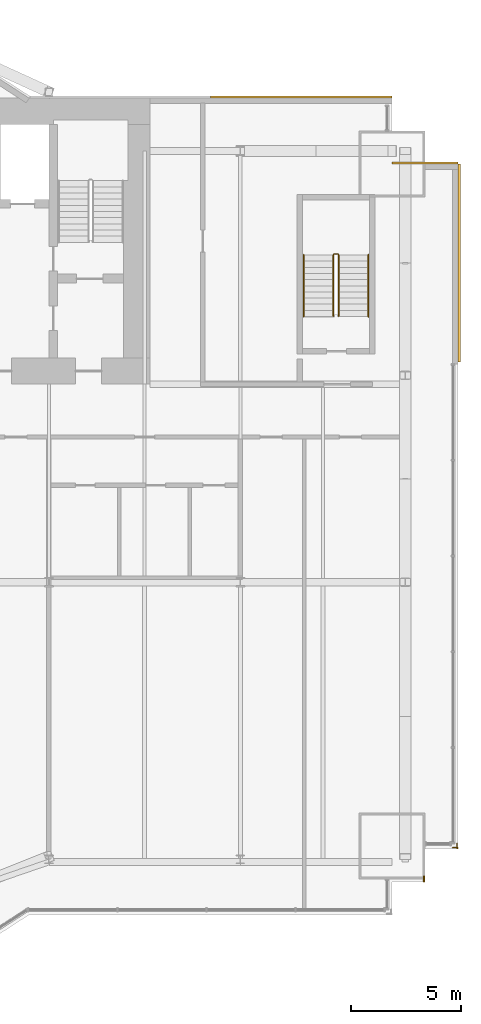
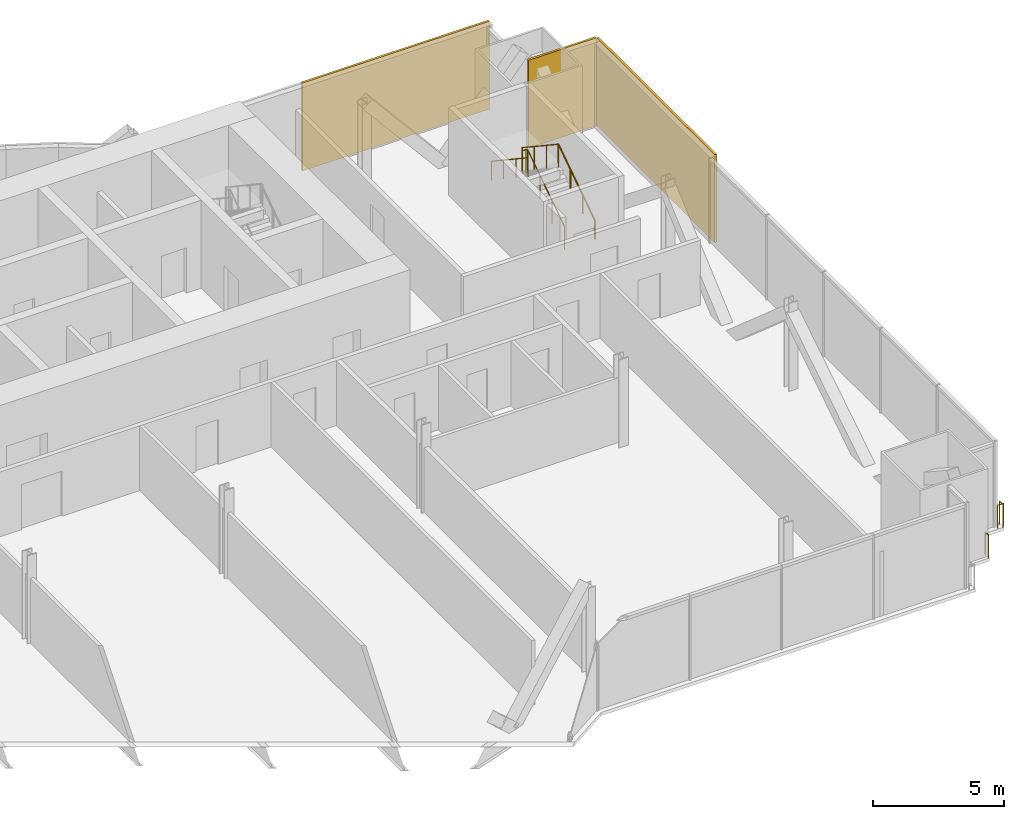
# One storey, part 21 of 21: 5 railings, 3 coverings.
"""IFC4 building model written with IfcOpenShell, lengths in metres."""

from ifc_helpers import new_model, si_unit, direction, frame, origin, origin_2d, place, context, subcontext, project, spatial, rectangle, circle, extrude, material, layer, layer_set, type_object, element, save


model = new_model("IFC4")

# Units and contexts
model_context = context("Model", 3, precision=1e-05, world=origin(), true_north=direction((0.0, 1.0)))
body_context = subcontext(model_context, "Body", "Model", "MODEL_VIEW")
ifc_project = project(units=[si_unit("LENGTHUNIT", "METRE"), si_unit("AREAUNIT", "SQUARE_METRE"), si_unit("VOLUMEUNIT", "CUBIC_METRE"), si_unit("PLANEANGLEUNIT", "RADIAN"), si_unit("MASSUNIT", "GRAM", prefix="KILO")], contexts=[model_context])

# Site, building, storey
site_placement = place(None, origin())
site = spatial("IfcSite", under=ifc_project, at=site_placement, CompositionType="ELEMENT")
building_placement = place(site_placement, origin())
building = spatial("IfcBuilding", under=site, at=building_placement, Name="Bicima Exchange Tower", CompositionType="ELEMENT")
storey_placement = place(building_placement, frame((0.0, 0.0, 122.699951171875)))
storey = spatial("IfcBuildingStorey", under=building, at=storey_placement, Name="L26", CompositionType="ELEMENT", Elevation=122.699951171875)

# Coverings
ifc_material_1 = material(Name="Bronze metal cladding")
ifc_layer_1 = layer(ifc_material_1, 0.004)
ifc_material_2 = material(Name="Ventilated cavity")
ifc_layer_2 = layer(ifc_material_2, 0.06)
ifc_material_3 = material(Name="Galvanised steel rail and mineral wool", Category="steel")
ifc_layer_3 = layer(ifc_material_3, 0.036)
ifc_layer_set = layer_set([ifc_layer_1, ifc_layer_2, ifc_layer_3], Name="Ventilated cavity")
covering_type = type_object("IfcCoveringType", Name="Bronze metal cladding panel 100", PredefinedType="CLADDING", material=ifc_layer_set)
covering_1_placement = place(storey_placement, frame((28.875, 0.050048828125, -0.14990234375), z_axis=(0.0, 0.0, 1.0), x_axis=(-1.0, 0.0, 0.0)))
element("IfcCovering", 1, at=covering_1_placement, inside=storey, type_object=covering_type, Name="Bronze cladding L26 1.1", PredefinedType="CLADDING", context=body_context, shape_type="SweptSolid", body=[
    extrude(rectangle(XDim=8.25, YDim=0.10009765625, at=origin_2d()), origin(), (0.0, 0.0, 1.0), 4.10009765625),
])
covering_2_placement = place(storey_placement, frame((36.050048828125, -7.5, -0.14990234375), z_axis=(0.0, 0.0, 1.0), x_axis=(0.0, 1.0, 0.0)))
element("IfcCovering", 2, at=covering_2_placement, inside=storey, type_object=covering_type, Name="Bronze cladding L26 50.1", PredefinedType="CLADDING", context=body_context, shape_type="SweptSolid", body=[
    extrude(rectangle(XDim=9.0, YDim=0.10009765625, at=origin_2d()), origin(), (0.0, 0.0, 1.0), 4.10009765625),
])
covering_3_placement = place(storey_placement, frame((34.5, -2.949951171875, -0.14990234375), z_axis=(0.0, 0.0, 1.0), x_axis=(-1.0, 0.0, 0.0)))
element("IfcCovering", 3, at=covering_3_placement, inside=storey, type_object=covering_type, Name="Bronze cladding L26 51.1", PredefinedType="CLADDING", context=body_context, shape_type="SweptSolid", body=[
    extrude(rectangle(XDim=3.0, YDim=0.10009765625, at=origin_2d()), origin(), (0.0, 0.0, 1.0), 4.10009765625),
])

# Railings
ifc_material_4 = material(Name="Stainless steel and bonded safety glass", Category="steel")
railing_type_1 = type_object("IfcRailingType", Name="Edge guard 1100", PredefinedType="GUARDRAIL", material=ifc_material_4)
railing_1_placement = place(storey_placement, frame((35.949951171875, -33.87109375, 0.0)))
element("IfcRailing", 4, at=railing_1_placement, inside=storey, type_object=railing_type_1, Name="Edge guard L26 128", PredefinedType="GUARDRAIL", context=body_context, shape_type="SweptSolid", body=[
    extrude(circle(Radius=0.02392578125, at=origin_2d()), frame((0.0, 0.0, 1.076171875), z_axis=(0.0, -1.0, 0.0), x_axis=(1.0, 0.0, 0.0)), (0.0, 0.0, 1.0), 0.2490234375),
    extrude(circle(Radius=0.02392578125, at=origin_2d()), frame((0.0, -0.2490234375, 1.076171875), z_axis=(0.707106781187, 0.707106781187, 0.0), x_axis=(-0.707106781187, 0.707106781187, 0.0)), (0.0, 0.0, 1.0), 0.07080078125),
    extrude(circle(Radius=0.02392578125, at=origin_2d()), frame((0.050048828125, -0.198974609375, 1.076171875), z_axis=(-1.0, 0.0, 0.0), x_axis=(0.0, -1.0, 0.0)), (0.0, 0.0, 1.0), 0.25),
    extrude(circle(Radius=0.02099609375, at=origin_2d()), origin(), (0.0, 0.0, 1.0), 1.052001953125),
    extrude(circle(Radius=0.02099609375, at=origin_2d()), frame((0.0, -0.2490234375, 0.0)), (0.0, 0.0, 1.0), 1.052001953125),
    extrude(circle(Radius=0.02099609375, at=origin_2d()), frame((0.050048828125, -0.198974609375, 0.0)), (0.0, 0.0, 1.0), 1.052001953125),
    extrude(circle(Radius=0.02099609375, at=origin_2d()), frame((-0.199951171875, -0.198974609375, 0.0)), (0.0, 0.0, 1.0), 1.052001953125),
])
railing_2_placement = place(storey_placement, frame((34.449951171875, -35.3701171875, 0.0)))
element("IfcRailing", 5, at=railing_2_placement, inside=storey, type_object=railing_type_1, Name="Edge guard L26 129", PredefinedType="GUARDRAIL", context=body_context, shape_type="SweptSolid", body=[
    extrude(circle(Radius=0.02392578125, at=origin_2d()), frame((0.0, 0.0, 1.076171875), z_axis=(0.0, -1.0, 0.0), x_axis=(1.0, 0.0, 0.0)), (0.0, 0.0, 1.0), 0.25),
    extrude(circle(Radius=0.02099609375, at=origin_2d()), origin(), (0.0, 0.0, 1.0), 1.052001953125),
    extrude(circle(Radius=0.02099609375, at=origin_2d()), frame((0.0, -0.25, 0.0)), (0.0, 0.0, 1.0), 1.052001953125),
])
ifc_material_5 = material(Name="Stainless steel", Category="steel")
railing_type_2 = type_object("IfcRailingType", Name="Stair guard 1100", PredefinedType="GUARDRAIL", material=ifc_material_5)
railing_3_placement = place(storey_placement, frame((30.574951171875, -9.925048828125, 0.1865234375)))
element("IfcRailing", 6, at=railing_3_placement, inside=storey, type_object=railing_type_2, Name="L26 ST-EE stair guard 1", PredefinedType="GUARDRAIL", context=body_context, shape_type="SweptSolid", body=[
    extrude(circle(Radius=0.02392578125, at=origin_2d()), frame((0.0, 0.0, 1.076171875), z_axis=(0.0, 0.832485552168, 0.554046753832), x_axis=(-1.0, 0.0, 0.0)), (0.0, 0.0, 1.0), 3.363525390625),
    extrude(circle(Radius=0.02392578125, at=origin_2d()), frame((0.0, 2.800048828125, 2.939453125), z_axis=(-0.707106781187, 0.707106781187, 0.0), x_axis=(-0.707106781187, -0.707106781187, 0.0)), (0.0, 0.0, 1.0), 0.07080078125),
    extrude(circle(Radius=0.02392578125, at=origin_2d()), frame((-0.050048828125, 2.85009765625, 2.939453125), z_axis=(-1.0, 0.0, 0.0), x_axis=(0.0, -1.0, 0.0)), (0.0, 0.0, 1.0), 0.14990234375),
    extrude(circle(Radius=0.02392578125, at=origin_2d()), frame((-0.199951171875, 2.85009765625, 2.939453125), z_axis=(-0.251157038772, -0.251157038772, 0.934794246747), x_axis=(0.707106781187, -0.707106781187, 0.0)), (0.0, 0.0, 1.0), 0.19921875),
    extrude(circle(Radius=0.02392578125, at=origin_2d()), frame((-0.25, 2.800048828125, 3.1259765625), z_axis=(0.0, -0.832452072856, 0.554097055034), x_axis=(1.0, 0.0, 0.0)), (0.0, 0.0, 1.0), 3.363525390625),
    extrude(circle(Radius=0.02099609375, at=origin_2d()), origin(), (0.0, 0.0, 1.0), 1.052001953125),
    extrude(circle(Radius=0.02099609375, at=origin_2d()), frame((0.0, 0.933349609375, 0.62109375)), (0.0, 0.0, 1.0), 1.052001953125),
    extrude(circle(Radius=0.02099609375, at=origin_2d()), frame((0.0, 1.86669921875, 1.242431640625)), (0.0, 0.0, 1.0), 1.052001953125),
    extrude(circle(Radius=0.02099609375, at=origin_2d()), frame((0.0, 2.800048828125, 1.863525390625)), (0.0, 0.0, 1.0), 1.052001953125),
    extrude(circle(Radius=0.02099609375, at=origin_2d()), frame((-0.050048828125, 2.85009765625, 1.863525390625)), (0.0, 0.0, 1.0), 1.052001953125),
    extrude(circle(Radius=0.02099609375, at=origin_2d()), frame((-0.199951171875, 2.85009765625, 1.863525390625)), (0.0, 0.0, 1.0), 1.052001953125),
    extrude(circle(Radius=0.02099609375, at=origin_2d()), frame((-0.25, 2.800048828125, 2.0498046875)), (0.0, 0.0, 1.0), 1.052001953125),
    extrude(circle(Radius=0.02099609375, at=origin_2d()), frame((-0.25, 1.86669921875, 2.671142578125)), (0.0, 0.0, 1.0), 1.052001953125),
    extrude(circle(Radius=0.02099609375, at=origin_2d()), frame((-0.25, 0.933349609375, 3.292236328125)), (0.0, 0.0, 1.0), 1.052001953125),
    extrude(circle(Radius=0.02099609375, at=origin_2d()), frame((-0.25, 0.0, 3.91357421875)), (0.0, 0.0, 1.0), 1.052001953125),
])
railing_type_3 = type_object("IfcRailingType", Name="Stair handrail 900", PredefinedType="HANDRAIL", material=ifc_material_5)
railing_4_placement = place(storey_placement, frame((31.925048828125, -9.925048828125, 0.1865234375)))
element("IfcRailing", 7, at=railing_4_placement, inside=storey, type_object=railing_type_3, Name="L26 ST-EE stair handrail 1", PredefinedType="HANDRAIL", context=body_context, shape_type="SweptSolid", body=[
    extrude(circle(Radius=0.02392578125, at=origin_2d()), frame((0.0, 0.0, 0.8759765625), z_axis=(0.0, 0.832485552168, 0.554046753832), x_axis=(-1.0, 0.0, 0.0)), (0.0, 0.0, 1.0), 3.363525390625),
    extrude(circle(Radius=0.02099609375, at=origin_2d()), origin(), (0.0, 0.0, 1.0), 0.851806640625),
    extrude(circle(Radius=0.02099609375, at=origin_2d()), frame((0.0, 0.933349609375, 0.62109375)), (0.0, 0.0, 1.0), 0.851806640625),
    extrude(circle(Radius=0.02099609375, at=origin_2d()), frame((0.0, 1.86669921875, 1.242431640625)), (0.0, 0.0, 1.0), 0.851806640625),
    extrude(circle(Radius=0.02099609375, at=origin_2d()), frame((0.0, 2.800048828125, 1.863525390625)), (0.0, 0.0, 1.0), 0.851806640625),
])
railing_5_placement = place(storey_placement, frame((28.97509765625, -7.125, 2.27685546875)))
element("IfcRailing", 8, at=railing_5_placement, inside=storey, type_object=railing_type_3, Name="L26 ST-EE stair handrail 2", PredefinedType="HANDRAIL", context=body_context, shape_type="SweptSolid", body=[
    extrude(circle(Radius=0.02392578125, at=origin_2d()), frame((0.0, 0.0, 0.8759765625), z_axis=(0.0, -0.832485552168, 0.554046753832), x_axis=(1.0, 0.0, 0.0)), (0.0, 0.0, 1.0), 3.363525390625),
    extrude(circle(Radius=0.02099609375, at=origin_2d()), origin(), (0.0, 0.0, 1.0), 0.851806640625),
    extrude(circle(Radius=0.02099609375, at=origin_2d()), frame((0.0, -0.933349609375, 0.62109375)), (0.0, 0.0, 1.0), 0.851806640625),
    extrude(circle(Radius=0.02099609375, at=origin_2d()), frame((0.0, -1.86669921875, 1.242431640625)), (0.0, 0.0, 1.0), 0.851806640625),
    extrude(circle(Radius=0.02099609375, at=origin_2d()), frame((0.0, -2.800048828125, 1.863525390625)), (0.0, 0.0, 1.0), 0.851806640625),
])

save(model, "model.ifc")
